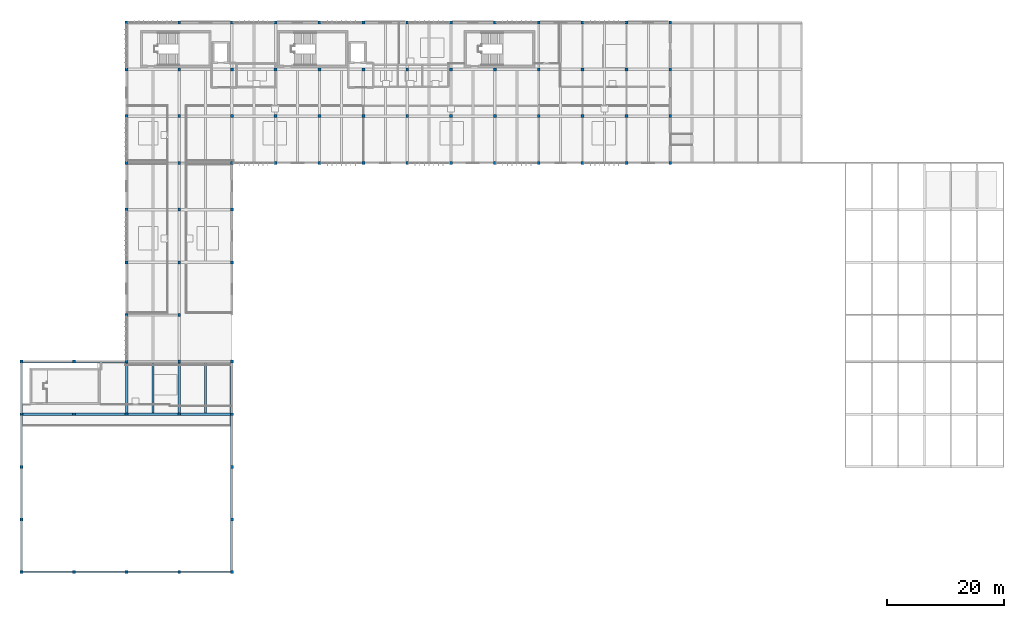
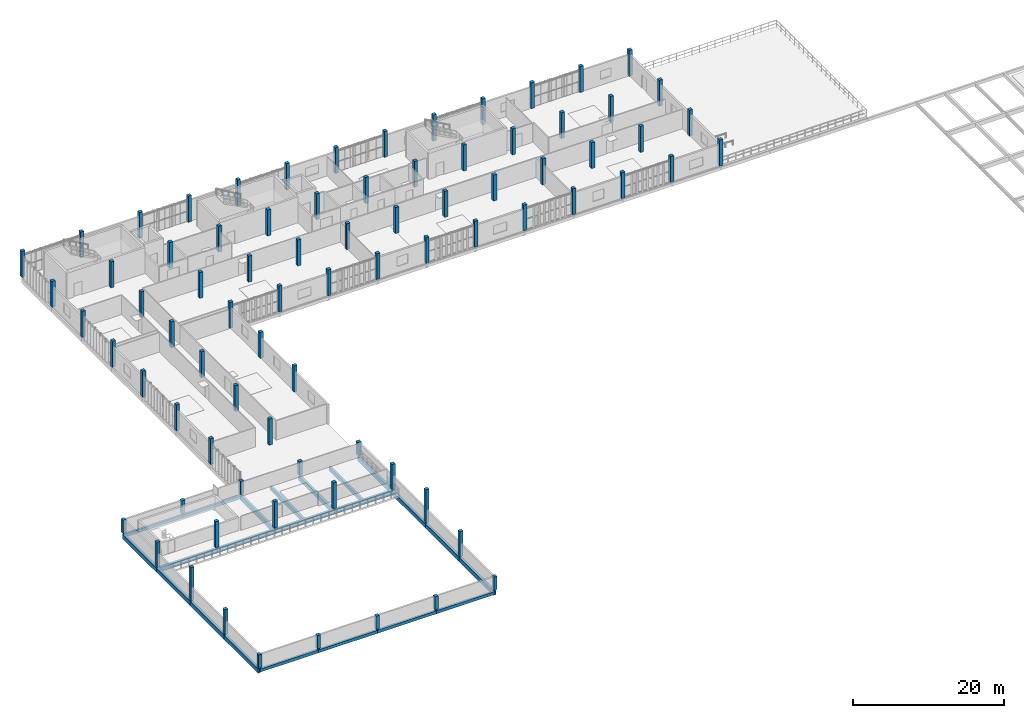
# One storey, part 1 of 27: 79 columns, 22 beams.
"""IFC4 building model written with IfcOpenShell, lengths in metres."""

from ifc_helpers import new_model, si_unit, direction, frame, origin, origin_2d, place, context, subcontext, project, spatial, rectangle, extrude, material, material_profile, profile_set, type_object, element, save


model = new_model("IFC4")

# Units and contexts
model_context = context("Model", 3, precision=1e-05, world=origin(), true_north=direction((0.0, 1.0)))
body_context = subcontext(model_context, "Body", "Model", "MODEL_VIEW")
ifc_project = project(units=[si_unit("LENGTHUNIT", "METRE"), si_unit("AREAUNIT", "SQUARE_METRE"), si_unit("VOLUMEUNIT", "CUBIC_METRE"), si_unit("PLANEANGLEUNIT", "RADIAN"), si_unit("MASSUNIT", "GRAM", prefix="KILO")], contexts=[model_context])

# Site, building, storey
site_placement = place(None, origin())
site = spatial("IfcSite", under=ifc_project, at=site_placement, CompositionType="ELEMENT")
building_placement = place(site_placement, origin())
building = spatial("IfcBuilding", under=site, at=building_placement, Name="Vourika Railside Aquatics Centre", CompositionType="ELEMENT")
storey_placement = place(building_placement, frame((0.0, 0.0, 13.5)))
storey = spatial("IfcBuildingStorey", under=building, at=storey_placement, Name="L03", CompositionType="ELEMENT", Elevation=13.5)

# Columns
ifc_material = material(Name="Concrete C35/45", Category="concrete")
ifc_material_profile_1 = material_profile(ifc_material, rectangle(XDim=0.5, YDim=0.5, at=origin_2d()), Name="RC 500x500")
ifc_profile_set_1 = profile_set([ifc_material_profile_1], Name="Concrete C35/45")
column_type = type_object("IfcColumnType", Name="COL-RC500", PredefinedType="COLUMN", material=ifc_profile_set_1)
column_1_placement = place(storey_placement, frame((0.0, 22.0, 0.0), z_axis=(0.0, 0.0, 1.0), x_axis=(1.0, 0.0, 0.0)))
element("IfcColumn", 1, at=column_1_placement, inside=storey, type_object=column_type, Name="Column col:L03:0_220", PredefinedType="COLUMN", context=body_context, shape_type="SweptSolid", body=[
    extrude(rectangle(XDim=0.5, YDim=0.5, at=origin_2d()), origin(), (0.0, 0.0, 1.0), 2.14990234375),
])
column_2_placement = place(storey_placement, frame((0.0, 31.0, 0.0), z_axis=(0.0, 0.0, 1.0), x_axis=(1.0, 0.0, 0.0)))
element("IfcColumn", 2, at=column_2_placement, inside=storey, type_object=column_type, Name="Column col:L03:0_310", PredefinedType="COLUMN", context=body_context, shape_type="SweptSolid", body=[
    extrude(rectangle(XDim=0.5, YDim=0.5, at=origin_2d()), origin(), (0.0, 0.0, 1.0), 4.0400390625),
])
column_3_placement = place(storey_placement, frame((0.0, 40.0, 0.0), z_axis=(0.0, 0.0, 1.0), x_axis=(1.0, 0.0, 0.0)))
element("IfcColumn", 3, at=column_3_placement, inside=storey, type_object=column_type, Name="Column col:L03:0_400", PredefinedType="COLUMN", context=body_context, shape_type="SweptSolid", body=[
    extrude(rectangle(XDim=0.5, YDim=0.5, at=origin_2d()), origin(), (0.0, 0.0, 1.0), 5.389892578125),
])
column_4_placement = place(storey_placement, frame((0.0, 49.0, 0.0), z_axis=(0.0, 0.0, 1.0), x_axis=(1.0, 0.0, 0.0)))
element("IfcColumn", 4, at=column_4_placement, inside=storey, type_object=column_type, Name="Column col:L03:0_490", PredefinedType="COLUMN", context=body_context, shape_type="SweptSolid", body=[
    extrude(rectangle(XDim=0.5, YDim=0.5, at=origin_2d()), origin(), (0.0, 0.0, 1.0), 4.0400390625),
])
for number, where, z_axis, x_axis, name in (
    (5, (0.0, 58.0, 0.0), (0.0, 0.0, 1.0), (1.0, 0.0, 0.0), "Column col:L03:0_580"),
    (6, (9.0, 22.0, 0.0), (0.0, 0.0, 1.0), (1.0, 0.0, 0.0), "Column col:L03:90_220"),
):
    element("IfcColumn", number, at=place(storey_placement, frame(where, z_axis=z_axis, x_axis=x_axis)), inside=storey, type_object=column_type, Name=name, PredefinedType="COLUMN", context=body_context, shape_type="SweptSolid", body=[
        extrude(rectangle(XDim=0.5, YDim=0.5, at=origin_2d()), origin(), (0.0, 0.0, 1.0), 2.14990234375),
    ])
column_5_placement = place(storey_placement, frame((9.0, 49.0, 0.0), z_axis=(0.0, 0.0, 1.0), x_axis=(1.0, 0.0, 0.0)))
element("IfcColumn", 7, at=column_5_placement, inside=storey, type_object=column_type, Name="Column col:L03:90_490", PredefinedType="COLUMN", context=body_context, shape_type="SweptSolid", body=[
    extrude(rectangle(XDim=0.5, YDim=0.5, at=origin_2d()), origin(), (0.0, 0.0, 1.0), 4.216796875),
])
for number, where, z_axis, x_axis, name in (
    (8, (9.0, 58.0, 0.0), (0.0, 0.0, 1.0), (1.0, 0.0, 0.0), "Column col:L03:90_580"),
    (9, (18.0, 22.0, 0.0), (0.0, 0.0, 1.0), (1.0, 0.0, 0.0), "Column col:L03:180_220"),
):
    element("IfcColumn", number, at=place(storey_placement, frame(where, z_axis=z_axis, x_axis=x_axis)), inside=storey, type_object=column_type, Name=name, PredefinedType="COLUMN", context=body_context, shape_type="SweptSolid", body=[
        extrude(rectangle(XDim=0.5, YDim=0.5, at=origin_2d()), origin(), (0.0, 0.0, 1.0), 2.14990234375),
    ])
column_6_placement = place(storey_placement, frame((18.0, 49.0, 0.0), z_axis=(0.0, 0.0, 1.0), x_axis=(1.0, 0.0, 0.0)))
element("IfcColumn", 10, at=column_6_placement, inside=storey, type_object=column_type, Name="Column col:L03:180_490", PredefinedType="COLUMN", context=body_context, shape_type="SweptSolid", body=[
    extrude(rectangle(XDim=0.5, YDim=0.5, at=origin_2d()), origin(), (0.0, 0.0, 1.0), 4.2900390625),
])
column_7_placement = place(storey_placement, frame((18.0, 58.0, 0.0), z_axis=(0.0, 0.0, 1.0), x_axis=(1.0, 0.0, 0.0)))
element("IfcColumn", 11, at=column_7_placement, inside=storey, type_object=column_type, Name="Column col:L03:180_580", PredefinedType="COLUMN", context=body_context, shape_type="SweptSolid", body=[
    extrude(rectangle(XDim=0.5, YDim=0.5, at=origin_2d()), origin(), (0.0, 0.0, 1.0), 2.14990234375),
])
for number, where, z_axis, x_axis, name in (
    (12, (18.0, 66.0, 0.0), (0.0, 0.0, 1.0), (1.0, 0.0, 0.0), "Column col:L03:180_660"),
    (13, (18.0, 75.0, 0.0), (0.0, 0.0, 1.0), (1.0, 0.0, 0.0), "Column col:L03:180_750"),
    (14, (18.0, 84.0, 0.0), (0.0, 0.0, 1.0), (1.0, 0.0, 0.0), "Column col:L03:180_840"),
    (15, (18.0, 92.0, 0.0), (0.0, 0.0, 1.0), (1.0, 0.0, 0.0), "Column col:L03:180_920"),
    (16, (18.0, 100.0, 0.0), (0.0, 0.0, 1.0), (1.0, 0.0, 0.0), "Column col:L03:180_1000"),
    (17, (18.0, 108.0, 0.0), (0.0, 0.0, 1.0), (1.0, 0.0, 0.0), "Column col:L03:180_1080"),
    (18, (18.0, 116.0, 0.0), (0.0, 0.0, 1.0), (1.0, 0.0, 0.0), "Column col:L03:180_1160"),
):
    element("IfcColumn", number, at=place(storey_placement, frame(where, z_axis=z_axis, x_axis=x_axis)), inside=storey, type_object=column_type, Name=name, PredefinedType="COLUMN", context=body_context, shape_type="SweptSolid", body=[
        extrude(rectangle(XDim=0.5, YDim=0.5, at=origin_2d()), origin(), (0.0, 0.0, 1.0), 4.199951171875),
    ])
column_8_placement = place(storey_placement, frame((27.0, 22.0, 0.0), z_axis=(0.0, 0.0, 1.0), x_axis=(1.0, 0.0, 0.0)))
element("IfcColumn", 19, at=column_8_placement, inside=storey, type_object=column_type, Name="Column col:L03:270_220", PredefinedType="COLUMN", context=body_context, shape_type="SweptSolid", body=[
    extrude(rectangle(XDim=0.5, YDim=0.5, at=origin_2d()), origin(), (0.0, 0.0, 1.0), 2.14990234375),
])
column_9_placement = place(storey_placement, frame((27.0, 49.0, 0.0), z_axis=(0.0, 0.0, 1.0), x_axis=(1.0, 0.0, 0.0)))
element("IfcColumn", 20, at=column_9_placement, inside=storey, type_object=column_type, Name="Column col:L03:270_490", PredefinedType="COLUMN", context=body_context, shape_type="SweptSolid", body=[
    extrude(rectangle(XDim=0.5, YDim=0.5, at=origin_2d()), origin(), (0.0, 0.0, 1.0), 4.216796875),
])
column_10_placement = place(storey_placement, frame((27.0, 58.0, 0.0), z_axis=(0.0, 0.0, 1.0), x_axis=(1.0, 0.0, 0.0)))
element("IfcColumn", 21, at=column_10_placement, inside=storey, type_object=column_type, Name="Column col:L03:270_580", PredefinedType="COLUMN", context=body_context, shape_type="SweptSolid", body=[
    extrude(rectangle(XDim=0.5, YDim=0.5, at=origin_2d()), origin(), (0.0, 0.0, 1.0), 2.14990234375),
])
for number, where, z_axis, x_axis, name in (
    (22, (27.0, 66.0, 0.0), (0.0, 0.0, 1.0), (1.0, 0.0, 0.0), "Column col:L03:270_660"),
    (23, (27.0, 75.0, 0.0), (0.0, 0.0, 1.0), (1.0, 0.0, 0.0), "Column col:L03:270_750"),
    (24, (27.0, 84.0, 0.0), (0.0, 0.0, 1.0), (1.0, 0.0, 0.0), "Column col:L03:270_840"),
    (25, (27.0, 92.0, 0.0), (0.0, 0.0, 1.0), (1.0, 0.0, 0.0), "Column col:L03:270_920"),
    (26, (27.0, 100.0, 0.0), (0.0, 0.0, 1.0), (1.0, 0.0, 0.0), "Column col:L03:270_1000"),
    (27, (27.0, 108.0, 0.0), (0.0, 0.0, 1.0), (1.0, 0.0, 0.0), "Column col:L03:270_1080"),
    (28, (27.0, 116.0, 0.0), (0.0, 0.0, 1.0), (1.0, 0.0, 0.0), "Column col:L03:270_1160"),
):
    element("IfcColumn", number, at=place(storey_placement, frame(where, z_axis=z_axis, x_axis=x_axis)), inside=storey, type_object=column_type, Name=name, PredefinedType="COLUMN", context=body_context, shape_type="SweptSolid", body=[
        extrude(rectangle(XDim=0.5, YDim=0.5, at=origin_2d()), origin(), (0.0, 0.0, 1.0), 4.199951171875),
    ])
column_11_placement = place(storey_placement, frame((36.0, 22.0, 0.0), z_axis=(0.0, 0.0, 1.0), x_axis=(1.0, 0.0, 0.0)))
element("IfcColumn", 29, at=column_11_placement, inside=storey, type_object=column_type, Name="Column col:L03:360_220", PredefinedType="COLUMN", context=body_context, shape_type="SweptSolid", body=[
    extrude(rectangle(XDim=0.5, YDim=0.5, at=origin_2d()), origin(), (0.0, 0.0, 1.0), 2.14990234375),
])
column_12_placement = place(storey_placement, frame((36.0, 31.0, 0.0), z_axis=(0.0, 0.0, 1.0), x_axis=(1.0, 0.0, 0.0)))
element("IfcColumn", 30, at=column_12_placement, inside=storey, type_object=column_type, Name="Column col:L03:360_310", PredefinedType="COLUMN", context=body_context, shape_type="SweptSolid", body=[
    extrude(rectangle(XDim=0.5, YDim=0.5, at=origin_2d()), origin(), (0.0, 0.0, 1.0), 4.0400390625),
])
column_13_placement = place(storey_placement, frame((36.0, 40.0, 0.0), z_axis=(0.0, 0.0, 1.0), x_axis=(1.0, 0.0, 0.0)))
element("IfcColumn", 31, at=column_13_placement, inside=storey, type_object=column_type, Name="Column col:L03:360_400", PredefinedType="COLUMN", context=body_context, shape_type="SweptSolid", body=[
    extrude(rectangle(XDim=0.5, YDim=0.5, at=origin_2d()), origin(), (0.0, 0.0, 1.0), 5.389892578125),
])
column_14_placement = place(storey_placement, frame((36.0, 49.0, 0.0), z_axis=(0.0, 0.0, 1.0), x_axis=(1.0, 0.0, 0.0)))
element("IfcColumn", 32, at=column_14_placement, inside=storey, type_object=column_type, Name="Column col:L03:360_490", PredefinedType="COLUMN", context=body_context, shape_type="SweptSolid", body=[
    extrude(rectangle(XDim=0.5, YDim=0.5, at=origin_2d()), origin(), (0.0, 0.0, 1.0), 4.0400390625),
])
column_15_placement = place(storey_placement, frame((36.0, 58.0, 0.0), z_axis=(0.0, 0.0, 1.0), x_axis=(1.0, 0.0, 0.0)))
element("IfcColumn", 33, at=column_15_placement, inside=storey, type_object=column_type, Name="Column col:L03:360_580", PredefinedType="COLUMN", context=body_context, shape_type="SweptSolid", body=[
    extrude(rectangle(XDim=0.5, YDim=0.5, at=origin_2d()), origin(), (0.0, 0.0, 1.0), 2.14990234375),
])
for number, where, z_axis, x_axis, name in (
    (34, (36.0, 75.0, 0.0), (0.0, 0.0, 1.0), (1.0, 0.0, 0.0), "Column col:L03:360_750"),
    (35, (36.0, 84.0, 0.0), (0.0, 0.0, 1.0), (1.0, 0.0, 0.0), "Column col:L03:360_840"),
    (36, (36.0, 92.0, 0.0), (0.0, 0.0, 1.0), (1.0, 0.0, 0.0), "Column col:L03:360_920"),
    (37, (36.0, 100.0, 0.0), (0.0, 0.0, 1.0), (1.0, 0.0, 0.0), "Column col:L03:360_1000"),
    (38, (36.0, 108.0, 0.0), (0.0, 0.0, 1.0), (1.0, 0.0, 0.0), "Column col:L03:360_1080"),
    (39, (36.0, 116.0, 0.0), (0.0, 0.0, 1.0), (1.0, 0.0, 0.0), "Column col:L03:360_1160"),
    (40, (43.5, 92.0, 0.0), (0.0, 0.0, 1.0), (1.0, 0.0, 0.0), "Column col:L03:435_920"),
    (41, (43.5, 100.0, 0.0), (0.0, 0.0, 1.0), (1.0, 0.0, 0.0), "Column col:L03:435_1000"),
    (42, (43.5, 108.0, 0.0), (0.0, 0.0, 1.0), (1.0, 0.0, 0.0), "Column col:L03:435_1080"),
    (43, (43.5, 116.0, 0.0), (0.0, 0.0, 1.0), (1.0, 0.0, 0.0), "Column col:L03:435_1160"),
    (44, (51.0, 92.0, 0.0), (0.0, 0.0, 1.0), (1.0, 0.0, 0.0), "Column col:L03:510_920"),
    (45, (51.0, 100.0, 0.0), (0.0, 0.0, 1.0), (1.0, 0.0, 0.0), "Column col:L03:510_1000"),
    (46, (51.0, 108.0, 0.0), (0.0, 0.0, 1.0), (1.0, 0.0, 0.0), "Column col:L03:510_1080"),
    (47, (51.0, 116.0, 0.0), (0.0, 0.0, 1.0), (1.0, 0.0, 0.0), "Column col:L03:510_1160"),
    (48, (58.5, 92.0, 0.0), (0.0, 0.0, 1.0), (1.0, 0.0, 0.0), "Column col:L03:585_920"),
    (49, (58.5, 100.0, 0.0), (0.0, 0.0, 1.0), (1.0, 0.0, 0.0), "Column col:L03:585_1000"),
    (50, (58.5, 108.0, 0.0), (0.0, 0.0, 1.0), (1.0, 0.0, 0.0), "Column col:L03:585_1080"),
    (51, (58.5, 116.0, 0.0), (0.0, 0.0, 1.0), (1.0, 0.0, 0.0), "Column col:L03:585_1160"),
    (52, (66.0, 92.0, 0.0), (0.0, 0.0, 1.0), (1.0, 0.0, 0.0), "Column col:L03:660_920"),
    (53, (66.0, 100.0, 0.0), (0.0, 0.0, 1.0), (1.0, 0.0, 0.0), "Column col:L03:660_1000"),
    (54, (66.0, 108.0, 0.0), (0.0, 0.0, 1.0), (1.0, 0.0, 0.0), "Column col:L03:660_1080"),
    (55, (66.0, 116.0, 0.0), (0.0, 0.0, 1.0), (1.0, 0.0, 0.0), "Column col:L03:660_1160"),
    (56, (73.5, 92.0, 0.0), (0.0, 0.0, 1.0), (1.0, 0.0, 0.0), "Column col:L03:735_920"),
    (57, (73.5, 100.0, 0.0), (0.0, 0.0, 1.0), (1.0, 0.0, 0.0), "Column col:L03:735_1000"),
    (58, (73.5, 108.0, 0.0), (0.0, 0.0, 1.0), (1.0, 0.0, 0.0), "Column col:L03:735_1080"),
    (59, (73.5, 116.0, 0.0), (0.0, 0.0, 1.0), (1.0, 0.0, 0.0), "Column col:L03:735_1160"),
    (60, (81.0, 92.0, 0.0), (0.0, 0.0, 1.0), (1.0, 0.0, 0.0), "Column col:L03:810_920"),
    (61, (81.0, 100.0, 0.0), (0.0, 0.0, 1.0), (1.0, 0.0, 0.0), "Column col:L03:810_1000"),
    (62, (81.0, 108.0, 0.0), (0.0, 0.0, 1.0), (1.0, 0.0, 0.0), "Column col:L03:810_1080"),
    (63, (81.0, 116.0, 0.0), (0.0, 0.0, 1.0), (1.0, 0.0, 0.0), "Column col:L03:810_1160"),
    (64, (88.5, 92.0, 0.0), (0.0, 0.0, 1.0), (1.0, 0.0, 0.0), "Column col:L03:885_920"),
    (65, (88.5, 100.0, 0.0), (0.0, 0.0, 1.0), (1.0, 0.0, 0.0), "Column col:L03:885_1000"),
    (66, (88.5, 108.0, 0.0), (0.0, 0.0, 1.0), (1.0, 0.0, 0.0), "Column col:L03:885_1080"),
    (67, (88.5, 116.0, 0.0), (0.0, 0.0, 1.0), (1.0, 0.0, 0.0), "Column col:L03:885_1160"),
    (68, (96.0, 92.0, 0.0), (0.0, 0.0, 1.0), (1.0, 0.0, 0.0), "Column col:L03:960_920"),
    (69, (96.0, 100.0, 0.0), (0.0, 0.0, 1.0), (1.0, 0.0, 0.0), "Column col:L03:960_1000"),
    (70, (96.0, 108.0, 0.0), (0.0, 0.0, 1.0), (1.0, 0.0, 0.0), "Column col:L03:960_1080"),
    (71, (96.0, 116.0, 0.0), (0.0, 0.0, 1.0), (1.0, 0.0, 0.0), "Column col:L03:960_1160"),
    (72, (103.5, 92.0, 0.0), (0.0, 0.0, 1.0), (1.0, 0.0, 0.0), "Column col:L03:1035_920"),
    (73, (103.5, 100.0, 0.0), (0.0, 0.0, 1.0), (1.0, 0.0, 0.0), "Column col:L03:1035_1000"),
    (74, (103.5, 108.0, 0.0), (0.0, 0.0, 1.0), (1.0, 0.0, 0.0), "Column col:L03:1035_1080"),
    (75, (103.5, 116.0, 0.0), (0.0, 0.0, 1.0), (1.0, 0.0, 0.0), "Column col:L03:1035_1160"),
    (76, (111.0, 92.0, 0.0), (0.0, 0.0, 1.0), (1.0, 0.0, 0.0), "Column col:L03:1110_920"),
    (77, (111.0, 100.0, 0.0), (0.0, 0.0, 1.0), (1.0, 0.0, 0.0), "Column col:L03:1110_1000"),
    (78, (111.0, 108.0, 0.0), (0.0, 0.0, 1.0), (1.0, 0.0, 0.0), "Column col:L03:1110_1080"),
    (79, (111.0, 116.0, 0.0), (0.0, 0.0, 1.0), (1.0, 0.0, 0.0), "Column col:L03:1110_1160"),
):
    element("IfcColumn", number, at=place(storey_placement, frame(where, z_axis=z_axis, x_axis=x_axis)), inside=storey, type_object=column_type, Name=name, PredefinedType="COLUMN", context=body_context, shape_type="SweptSolid", body=[
        extrude(rectangle(XDim=0.5, YDim=0.5, at=origin_2d()), origin(), (0.0, 0.0, 1.0), 4.199951171875),
    ])

# Beams
ifc_material_profile_2 = material_profile(ifc_material, rectangle(XDim=0.39990234375, YDim=0.699951171875, at=origin_2d()), Name="RC 400x700")
ifc_profile_set_2 = profile_set([ifc_material_profile_2], Name="Concrete C35/45")
beam_type_1 = type_object("IfcBeamType", Name="BM-GIRD-400x700", PredefinedType="BEAM", material=ifc_profile_set_2)
for number, where, z_axis, x_axis, name in (
    (80, (0.0, 49.0, -0.610107421875), (1.0, 0.0, 0.0), (0.0, 1.0, 0.0), "Floor Beam GX-L03-008"),
    (81, (9.0, 49.0, -0.610107421875), (1.0, 0.0, 0.0), (0.0, 1.0, 0.0), "Floor Beam GX-L03-009"),
    (82, (18.0, 49.0, -0.610107421875), (1.0, 0.0, 0.0), (0.0, 1.0, 0.0), "Floor Beam GX-L03-010"),
    (83, (27.0, 49.0, -0.610107421875), (1.0, 0.0, 0.0), (0.0, 1.0, 0.0), "Floor Beam GX-L03-011"),
    (84, (0.0, 22.0, -0.610107421875), (0.0, 1.0, 0.0), (-1.0, 0.0, 0.0), "Floor Girder GY-L03-100"),
    (85, (0.0, 31.0, -0.610107421875), (0.0, 1.0, 0.0), (-1.0, 0.0, 0.0), "Floor Girder GY-L03-101"),
    (86, (0.0, 40.0, -0.610107421875), (0.0, 1.0, 0.0), (-1.0, 0.0, 0.0), "Floor Girder GY-L03-102"),
    (87, (0.0, 49.0, -0.610107421875), (0.0, 1.0, 0.0), (-1.0, 0.0, 0.0), "Floor Girder GY-L03-103"),
    (88, (18.0, 49.0, -0.610107421875), (0.0, 1.0, 0.0), (-1.0, 0.0, 0.0), "Floor Girder GY-L03-104"),
    (89, (27.0, 49.0, -0.610107421875), (0.0, 1.0, 0.0), (-1.0, 0.0, 0.0), "Floor Girder GY-L03-112"),
    (90, (36.0, 22.0, -0.610107421875), (0.0, 1.0, 0.0), (-1.0, 0.0, 0.0), "Floor Girder GY-L03-119"),
    (91, (36.0, 31.0, -0.610107421875), (0.0, 1.0, 0.0), (-1.0, 0.0, 0.0), "Floor Girder GY-L03-120"),
    (92, (36.0, 40.0, -0.610107421875), (0.0, 1.0, 0.0), (-1.0, 0.0, 0.0), "Floor Girder GY-L03-121"),
    (93, (36.0, 49.0, -0.610107421875), (0.0, 1.0, 0.0), (-1.0, 0.0, 0.0), "Floor Girder GY-L03-122"),
):
    element("IfcBeam", number, at=place(storey_placement, frame(where, z_axis=z_axis, x_axis=x_axis)), inside=storey, type_object=beam_type_1, Name=name, PredefinedType="BEAM", context=body_context, shape_type="SweptSolid", body=[
        extrude(rectangle(XDim=0.39990234375, YDim=0.699951171875, at=origin_2d()), origin(), (0.0, 0.0, 1.0), 9.0),
    ])
ifc_material_profile_3 = material_profile(ifc_material, rectangle(XDim=0.35009765625, YDim=0.60009765625, at=origin_2d()), Name="RC 350x600")
ifc_profile_set_3 = profile_set([ifc_material_profile_3], Name="Concrete C35/45")
beam_type_2 = type_object("IfcBeamType", Name="BM-SEC-350x600", PredefinedType="JOIST", material=ifc_profile_set_3)
for number, where, z_axis, x_axis, name in (
    (94, (22.5, 49.199951171875, -0.56005859375), (0.0, 1.0, 0.0), (-1.0, 0.0, 0.0), "Secondary Joist JY-L03-191"),
    (95, (31.5, 49.199951171875, -0.56005859375), (0.0, 1.0, 0.0), (-1.0, 0.0, 0.0), "Secondary Joist JY-L03-192"),
):
    element("IfcBeam", number, at=place(storey_placement, frame(where, z_axis=z_axis, x_axis=x_axis)), inside=storey, type_object=beam_type_2, Name=name, PredefinedType="JOIST", context=body_context, shape_type="SweptSolid", body=[
        extrude(rectangle(XDim=0.35009765625, YDim=0.60009765625, at=origin_2d()), origin(), (0.0, 0.0, 1.0), 8.650146484375),
    ])
ifc_material_profile_4 = material_profile(ifc_material, rectangle(XDim=0.300048828125, YDim=0.5, at=origin_2d()), Name="RC 300x500")
ifc_profile_set_4 = profile_set([ifc_material_profile_4], Name="Concrete C35/45")
beam_type_3 = type_object("IfcBeamType", Name="BM-SPAN-300x500", PredefinedType="SPANDREL", material=ifc_profile_set_4)
for number, where, z_axis, x_axis, name in (
    (96, (0.0, 22.0, -0.510009765625), (1.0, 0.0, 0.0), (0.0, 1.0, 0.0), "Floor Beam GX-L03-001"),
    (97, (9.0, 22.0, -0.510009765625), (1.0, 0.0, 0.0), (0.0, 1.0, 0.0), "Floor Beam GX-L03-002"),
    (98, (18.0, 22.0, -0.510009765625), (1.0, 0.0, 0.0), (0.0, 1.0, 0.0), "Floor Beam GX-L03-003"),
    (99, (27.0, 22.0, -0.510009765625), (1.0, 0.0, 0.0), (0.0, 1.0, 0.0), "Floor Beam GX-L03-004"),
    (100, (0.0, 58.0, -0.510009765625), (1.0, 0.0, 0.0), (0.0, 1.0, 0.0), "Floor Beam GX-L03-015"),
    (101, (9.0, 58.0, -0.510009765625), (1.0, 0.0, 0.0), (0.0, 1.0, 0.0), "Floor Beam GX-L03-016"),
):
    element("IfcBeam", number, at=place(storey_placement, frame(where, z_axis=z_axis, x_axis=x_axis)), inside=storey, type_object=beam_type_3, Name=name, PredefinedType="SPANDREL", context=body_context, shape_type="SweptSolid", body=[
        extrude(rectangle(XDim=0.300048828125, YDim=0.5, at=origin_2d()), origin(), (0.0, 0.0, 1.0), 9.0),
    ])

save(model, "model.ifc")
